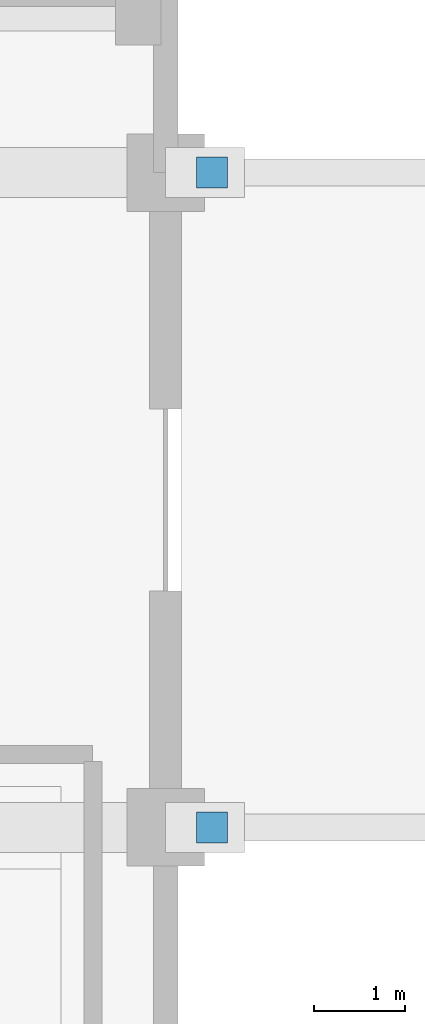
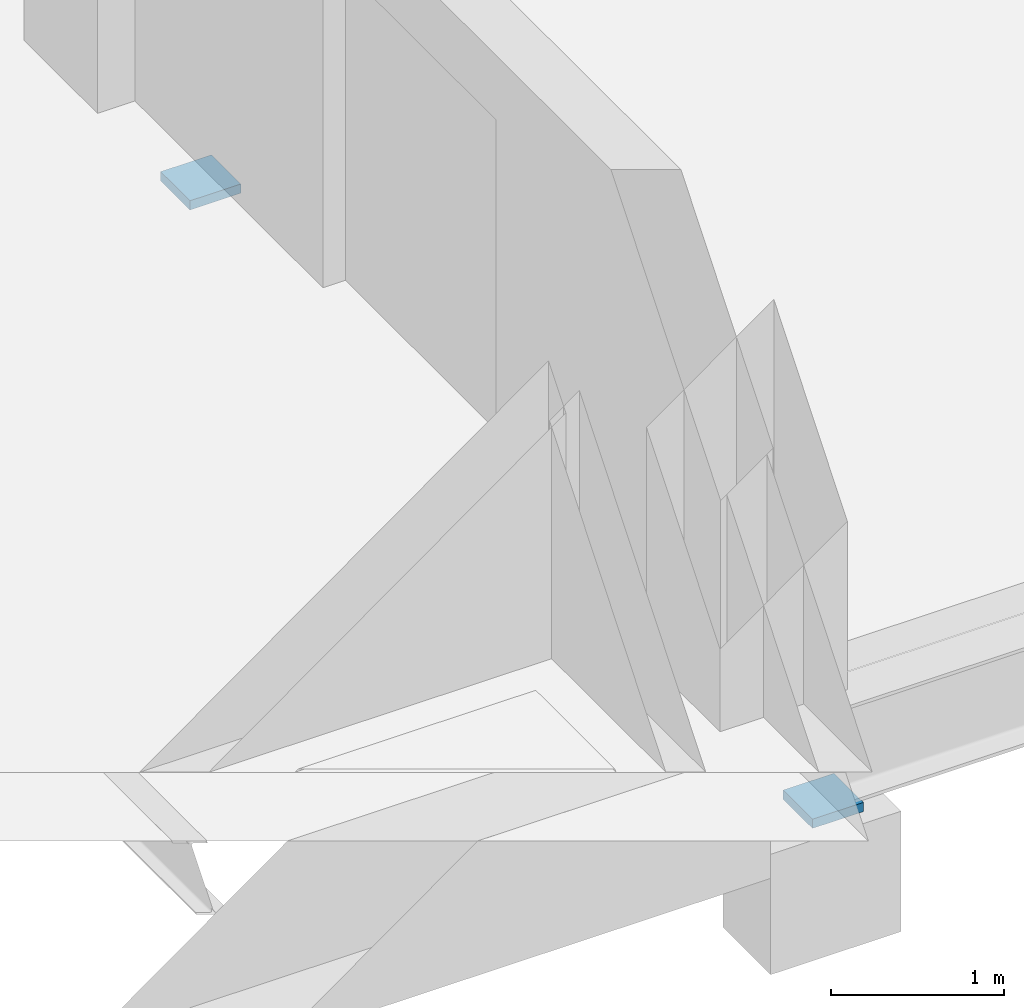
# One storey, part 78 of 97: 2 discrete accessories.
"""IFC4 building model written with IfcOpenShell, lengths in metres."""

from ifc_helpers import new_model, si_unit, direction, frame, origin, origin_2d, place, context, subcontext, project, spatial, rectangle, extrude, material, layer, layer_set, type_object, element, save


model = new_model("IFC4")

# Units and contexts
model_context = context("Model", 3, precision=1e-05, world=origin(), true_north=direction((0.0, 1.0)))
body_context = subcontext(model_context, "Body", "Model", "MODEL_VIEW")
ifc_project = project(units=[si_unit("LENGTHUNIT", "METRE"), si_unit("AREAUNIT", "SQUARE_METRE"), si_unit("VOLUMEUNIT", "CUBIC_METRE"), si_unit("PLANEANGLEUNIT", "RADIAN"), si_unit("MASSUNIT", "GRAM", prefix="KILO")], contexts=[model_context])

# Site, building, storey
site_placement = place(None, origin())
site = spatial("IfcSite", under=ifc_project, at=site_placement, CompositionType="ELEMENT")
building_placement = place(site_placement, origin())
building = spatial("IfcBuilding", under=site, at=building_placement, Name="Kisaragi Civic Commons", CompositionType="ELEMENT")
storey_placement = place(building_placement, origin())
storey = spatial("IfcBuildingStorey", under=building, at=storey_placement, Name="L00", CompositionType="ELEMENT", Elevation=0.0)

# Discrete accessories
ifc_material = material(Name="Steel SN490 (SN490B)", Category="steel")
ifc_layer = layer(ifc_material, 0.06494140625, Name="Steel SN490 (SN490B)", Category="steel")
ifc_layer_set = layer_set([ifc_layer], Name="Steel SN490 (SN490B)")
discrete_accessory_type = type_object("IfcDiscreteAccessoryType", Name="SB-01", PredefinedType="USERDEFINED", material=ifc_layer_set)
for number, where, z_axis, x_axis, name in (
    (1, (54.909912109375, 104.39990234375, -1.10498046875), (0.0, 0.0, 1.0), (1.0, 0.0, 0.0), "PTFE sliding bearing SB-01 1"),
    (2, (54.909912109375, 111.60009765625, -1.10498046875), (0.0, 0.0, 1.0), (1.0, 0.0, 0.0), "PTFE sliding bearing SB-01 2"),
):
    element("IfcDiscreteAccessory", number, at=place(storey_placement, frame(where, z_axis=z_axis, x_axis=x_axis)), inside=storey, type_object=discrete_accessory_type, Name=name, ObjectType="SLIDING BEARING", PredefinedType="USERDEFINED", context=body_context, shape_type="SweptSolid", body=[
        extrude(rectangle(XDim=0.340087890625, YDim=0.340087890625, at=origin_2d()), origin(), (0.0, 0.0, 1.0), 0.06494140625),
    ])

save(model, "model.ifc")
